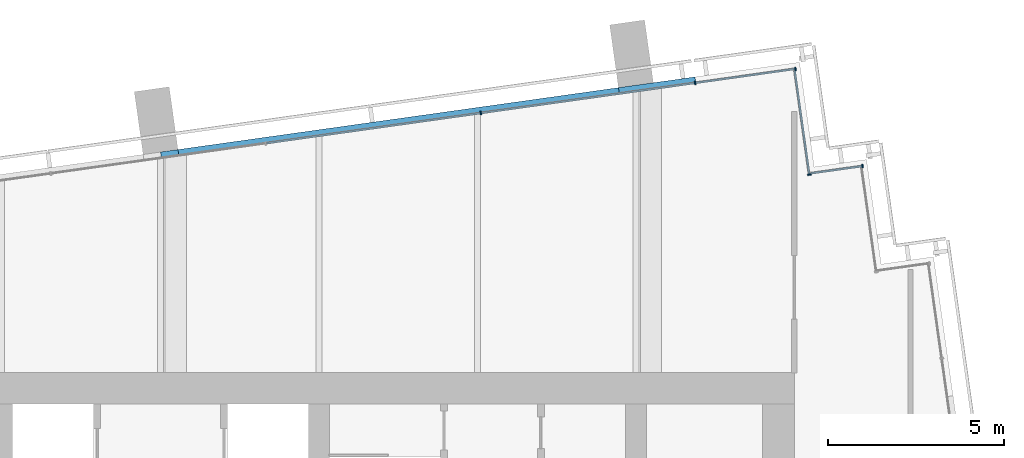
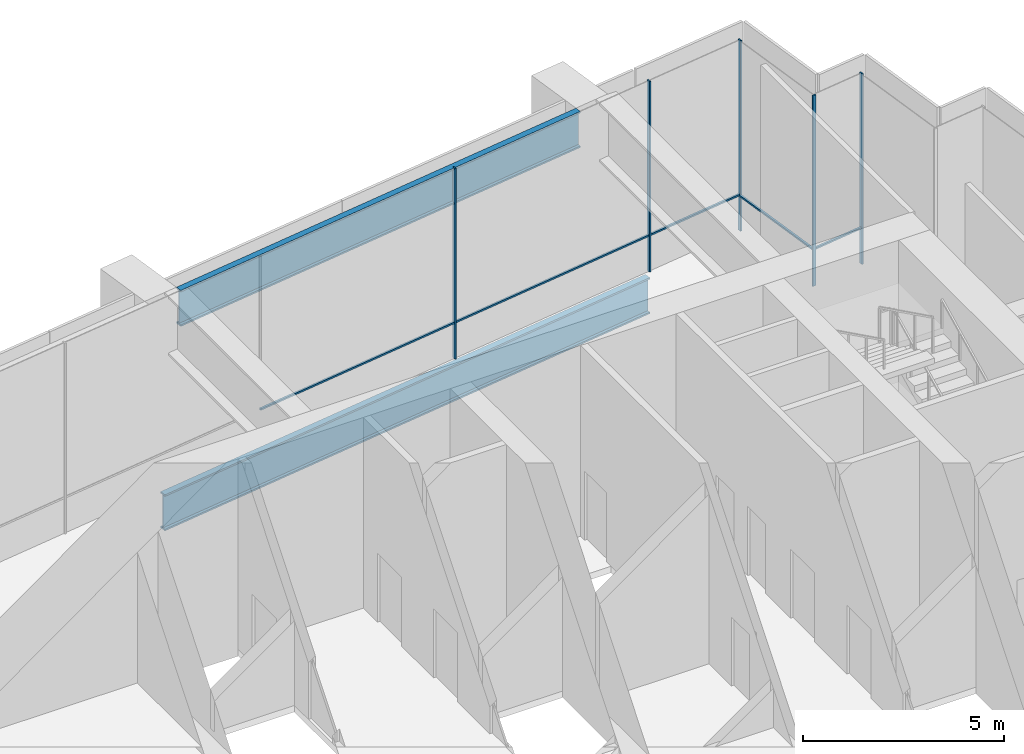
# One storey, part 15 of 25: 10 members, 2 beams, 4 elements without a shape of their own.
"""IFC4 building model written with IfcOpenShell, lengths in metres."""

from ifc_helpers import new_model, si_unit, direction, frame, origin, origin_2d, place, context, subcontext, project, spatial, rectangle, i_section, extrude, material, layer, layer_set, material_profile, profile_set, type_object, element, aggregate, save


model = new_model("IFC4")

# Units and contexts
model_context = context("Model", 3, precision=1e-05, world=origin(), true_north=direction((0.0, 1.0)))
body_context = subcontext(model_context, "Body", "Model", "MODEL_VIEW")
ifc_project = project(units=[si_unit("LENGTHUNIT", "METRE"), si_unit("AREAUNIT", "SQUARE_METRE"), si_unit("VOLUMEUNIT", "CUBIC_METRE"), si_unit("PLANEANGLEUNIT", "RADIAN"), si_unit("MASSUNIT", "GRAM", prefix="KILO")], contexts=[model_context])

# Site, building, storey
site_placement = place(None, origin())
site = spatial("IfcSite", under=ifc_project, at=site_placement, CompositionType="ELEMENT")
building_placement = place(site_placement, origin())
building = spatial("IfcBuilding", under=site, at=building_placement, Name="Rattan Terrace Tower", CompositionType="ELEMENT")
storey_placement = place(building_placement, frame((0.0, 0.0, 286.300048828125)))
storey = spatial("IfcBuildingStorey", under=building, at=storey_placement, Name="L66", CompositionType="ELEMENT", Elevation=286.300048828125)

# Beams
ifc_material_1 = material(Name="Steel S460", Category="steel")
ifc_material_profile_1 = material_profile(ifc_material_1, i_section(OverallWidth=0.179931640625, OverallDepth=1.10009765625, WebThickness=0.01611328125, FlangeThickness=0.050048828125, at=origin_2d()), Name="PG 1100x180-16-50")
ifc_profile_set_1 = profile_set([ifc_material_profile_1], Name="Steel S460")
beam_type_1 = type_object("IfcBeamType", Name="Frame edge girder PG 1100x180-16-50", PredefinedType="SPANDREL", material=ifc_profile_set_1)
beam_1_placement = place(storey_placement, frame((15.18896484375, 15.801025390625, -0.75), z_axis=(-0.99026622182, -0.139186241857, 0.0), x_axis=(0.139186241857, -0.99026622182, 0.0)))
element("IfcBeam", 1, at=beam_1_placement, inside=storey, type_object=beam_type_1, Name="gdr-L66-006", PredefinedType="SPANDREL", context=body_context, shape_type="SweptSolid", body=[
    extrude(i_section(OverallWidth=0.179931640625, OverallDepth=1.10009765625, WebThickness=0.01611328125, FlangeThickness=0.050048828125, at=origin_2d()), origin(), (0.0, 0.0, 1.0), 15.3251953125),
])
ifc_material_2 = material(Name="Steel S460", Category="steel")
ifc_material_profile_2 = material_profile(ifc_material_2, i_section(OverallWidth=0.179931640625, OverallDepth=1.10009765625, WebThickness=0.01611328125, FlangeThickness=0.050048828125, at=origin_2d()), Name="PG 1100x180-16-50")
ifc_profile_set_2 = profile_set([ifc_material_profile_2], Name="Steel S460")
beam_type_2 = type_object("IfcBeamType", Name="Frame transfer girder PG 1100x180-16-50", PredefinedType="USERDEFINED", material=ifc_profile_set_2)
beam_2_placement = place(storey_placement, frame((13.01708984375, 15.49609375, 5.25), z_axis=(-0.990267777729, -0.139175171603, 0.0), x_axis=(0.139175171603, -0.990267777729, 0.0)))
element("IfcBeam", 2, at=beam_2_placement, inside=storey, type_object=beam_type_2, Name="trf-L66-002", ObjectType="TRANSFER GIRDER", PredefinedType="USERDEFINED", context=body_context, shape_type="SweptSolid", body=[
    extrude(i_section(OverallWidth=0.179931640625, OverallDepth=1.10009765625, WebThickness=0.01611328125, FlangeThickness=0.050048828125, at=origin_2d()), origin(), (0.0, 0.0, 1.0), 12.632080078125),
])

# Curtain wall, member
ifc_material_3 = material(Name="Aluminium and structural silicone glass", Category="aluminium")
ifc_layer = layer(ifc_material_3, 0.10009765625)
ifc_layer_set = layer_set([ifc_layer], Name="Observation Structural Silicone Curtain Wall")
curtain_wall_type = type_object("IfcCurtainWallType", Name="Observation Structural Silicone Curtain Wall", PredefinedType="NOTDEFINED", material=ifc_layer_set)
curtain_wall_1_placement = place(storey_placement, origin())
curtain_wall_1 = element("IfcCurtainWall", 3, at=curtain_wall_1_placement, inside=storey, type_object=curtain_wall_type, Name="Observation curtain wall L66-9", PredefinedType="NOTDEFINED")
ifc_material_4 = material(Name="Aluminium", Category="aluminium")
ifc_material_profile_3 = material_profile(ifc_material_4, rectangle(XDim=0.0400390625, YDim=0.10009765625, at=origin_2d()), Name="Aluminium 40x100")
ifc_profile_set_3 = profile_set([ifc_material_profile_3], Name="Aluminium")
member_type_1 = type_object("IfcMemberType", Name="Observation CW Mullion 40x100", PredefinedType="MULLION", material=ifc_profile_set_3)
member_1_placement = place(storey_placement, frame((19.93408203125, 13.357177734375, 0.0), z_axis=(0.0, 0.0, 1.0), x_axis=(-0.990332587523, -0.138713251317, 0.0)))
member_1 = element("IfcMember", 4, at=member_1_placement, type_object=member_type_1, Name="Mullion cwl-L66-009.1", PredefinedType="MULLION", context=body_context, shape_type="SweptSolid", body=[
    extrude(rectangle(XDim=0.0400390625, YDim=0.10009765625, at=origin_2d()), origin(), (0.0, 0.0, 1.0), 5.800048828125),
])

curtain_wall_2_placement = place(storey_placement, origin())
curtain_wall_2 = element("IfcCurtainWall", 5, at=curtain_wall_2_placement, inside=storey, type_object=curtain_wall_type, Name="Observation curtain wall L66-10", PredefinedType="NOTDEFINED")
member_2_placement = place(storey_placement, frame((18.423583984375, 13.115478515625, 0.0), z_axis=(0.0, 0.0, 1.0), x_axis=(-0.139367219175, 0.990240767803, 0.0)))
member_2 = element("IfcMember", 6, at=member_2_placement, type_object=member_type_1, Name="Mullion cwl-L66-010.1", PredefinedType="MULLION", context=body_context, shape_type="SweptSolid", body=[
    extrude(rectangle(XDim=0.0400390625, YDim=0.10009765625, at=origin_2d()), origin(), (0.0, 0.0, 1.0), 5.800048828125),
])

curtain_wall_3_placement = place(storey_placement, origin())
curtain_wall_3 = element("IfcCurtainWall", 7, at=curtain_wall_3_placement, inside=storey, type_object=curtain_wall_type, Name="Observation curtain wall L66-11", PredefinedType="NOTDEFINED")
member_3_placement = place(storey_placement, frame((18.031005859375, 16.119140625, 0.0), z_axis=(0.0, 0.0, 1.0), x_axis=(-0.990286729519, -0.139040257974, 0.0)))
member_3 = element("IfcMember", 8, at=member_3_placement, type_object=member_type_1, Name="Mullion cwl-L66-011.1", PredefinedType="MULLION", context=body_context, shape_type="SweptSolid", body=[
    extrude(rectangle(XDim=0.0400390625, YDim=0.10009765625, at=origin_2d()), origin(), (0.0, 0.0, 1.0), 5.800048828125),
])

# Curtain wall, members
curtain_wall_4_placement = place(storey_placement, origin())
curtain_wall_4 = element("IfcCurtainWall", 9, at=curtain_wall_4_placement, inside=storey, type_object=curtain_wall_type, Name="Observation curtain wall L66-12", PredefinedType="NOTDEFINED")
member_4_placement = place(storey_placement, frame((15.179931640625, 15.71875, 0.0), z_axis=(0.0, 0.0, 1.0), x_axis=(-0.990265894013, -0.139188574079, 0.0)))
member_4 = element("IfcMember", 10, at=member_4_placement, type_object=member_type_1, Name="Mullion cwl-L66-012.1", PredefinedType="MULLION", context=body_context, shape_type="SweptSolid", body=[
    extrude(rectangle(XDim=0.0400390625, YDim=0.10009765625, at=origin_2d()), origin(), (0.0, 0.0, 1.0), 5.800048828125),
])
member_5_placement = place(storey_placement, frame((9.09375, 14.863525390625, 0.0), z_axis=(0.0, 0.0, 1.0), x_axis=(-0.990265894013, -0.139188574079, 0.0)))
member_5 = element("IfcMember", 11, at=member_5_placement, type_object=member_type_1, Name="Mullion cwl-L66-012.2", PredefinedType="MULLION", context=body_context, shape_type="SweptSolid", body=[
    extrude(rectangle(XDim=0.0400390625, YDim=0.10009765625, at=origin_2d()), origin(), (0.0, 0.0, 1.0), 5.800048828125),
])

# Member
ifc_material_5 = material(Name="Aluminium", Category="aluminium")
ifc_material_profile_4 = material_profile(ifc_material_5, rectangle(XDim=0.06005859375, YDim=0.050048828125, at=origin_2d()), Name="Aluminium 60x50")
ifc_profile_set_4 = profile_set([ifc_material_profile_4], Name="Aluminium")
member_type_2 = type_object("IfcMemberType", Name="Observation CW Transom 60x50", PredefinedType="USERDEFINED", material=ifc_profile_set_4)
member_6_placement = place(storey_placement, frame((19.914306640625, 13.3544921875, 1.099853515625), z_axis=(-0.990340368658, -0.13865768715, 0.0), x_axis=(0.13865768715, -0.990340368658, 0.0)))
member_6 = element("IfcMember", 12, at=member_6_placement, type_object=member_type_2, Name="Transom cwl-L66-009.1", ObjectType="TRANSOM", PredefinedType="USERDEFINED", context=body_context, shape_type="SweptSolid", body=[
    extrude(rectangle(XDim=0.06005859375, YDim=0.050048828125, at=origin_2d()), origin(), (0.0, 0.0, 1.0), 1.459716796875),
])

aggregate(curtain_wall_1, [member_1, member_6])

member_7_placement = place(storey_placement, frame((18.420654296875, 13.13525390625, 1.099853515625), z_axis=(-0.139353435526, 0.990242707626, 0.0), x_axis=(-0.990242707626, -0.139353435526, 0.0)))
member_7 = element("IfcMember", 13, at=member_7_placement, type_object=member_type_2, Name="Transom cwl-L66-010.1", ObjectType="TRANSOM", PredefinedType="USERDEFINED", context=body_context, shape_type="SweptSolid", body=[
    extrude(rectangle(XDim=0.06005859375, YDim=0.050048828125, at=origin_2d()), origin(), (0.0, 0.0, 1.0), 2.958984375),
])

aggregate(curtain_wall_2, [member_2, member_7])

member_8_placement = place(storey_placement, frame((18.01123046875, 16.116455078125, 1.099853515625), z_axis=(-0.990285461735, -0.13904928722, 0.0), x_axis=(0.13904928722, -0.990285461735, 0.0)))
member_8 = element("IfcMember", 14, at=member_8_placement, type_object=member_type_2, Name="Transom cwl-L66-011.1", ObjectType="TRANSOM", PredefinedType="USERDEFINED", context=body_context, shape_type="SweptSolid", body=[
    extrude(rectangle(XDim=0.06005859375, YDim=0.050048828125, at=origin_2d()), origin(), (0.0, 0.0, 1.0), 2.839111328125),
])

aggregate(curtain_wall_3, [member_3, member_8])

member_9_placement = place(storey_placement, frame((15.16015625, 15.716064453125, 1.099853515625), z_axis=(-0.990266828042, -0.139181928712, 0.0), x_axis=(0.139181928712, -0.990266828042, 0.0)))
member_9 = element("IfcMember", 15, at=member_9_placement, type_object=member_type_2, Name="Transom cwl-L66-012.1", ObjectType="TRANSOM", PredefinedType="USERDEFINED", context=body_context, shape_type="SweptSolid", body=[
    extrude(rectangle(XDim=0.06005859375, YDim=0.050048828125, at=origin_2d()), origin(), (0.0, 0.0, 1.0), 6.10595703125),
])

member_10_placement = place(storey_placement, frame((9.073974609375, 14.860595703125, 1.099853515625), z_axis=(-0.990268940165, -0.139166900316, 0.0), x_axis=(0.139166900316, -0.990268940165, 0.0)))
member_10 = element("IfcMember", 16, at=member_10_placement, type_object=member_type_2, Name="Transom cwl-L66-012.2", ObjectType="TRANSOM", PredefinedType="USERDEFINED", context=body_context, shape_type="SweptSolid", body=[
    extrude(rectangle(XDim=0.06005859375, YDim=0.050048828125, at=origin_2d()), origin(), (0.0, 0.0, 1.0), 6.1259765625),
])

aggregate(curtain_wall_4, [member_4, member_5, member_9, member_10])

save(model, "model.ifc")
